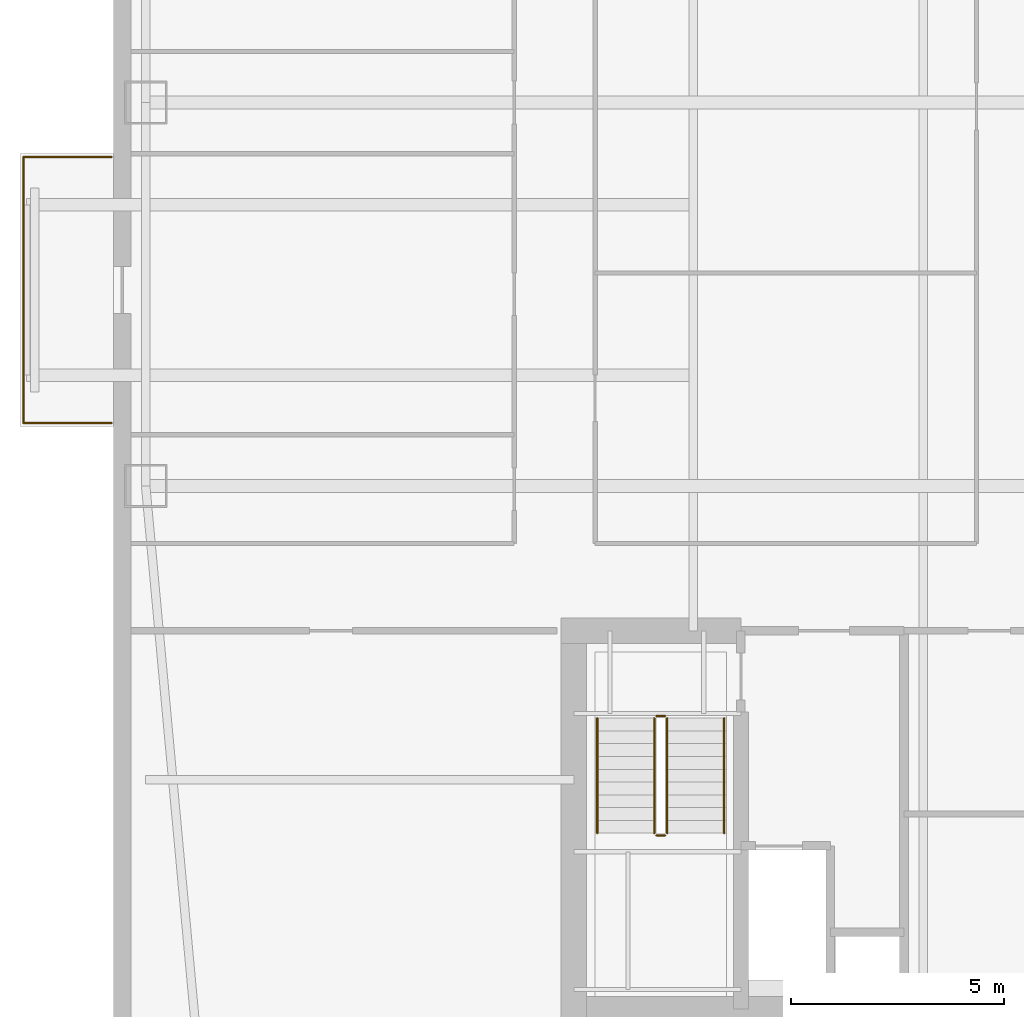
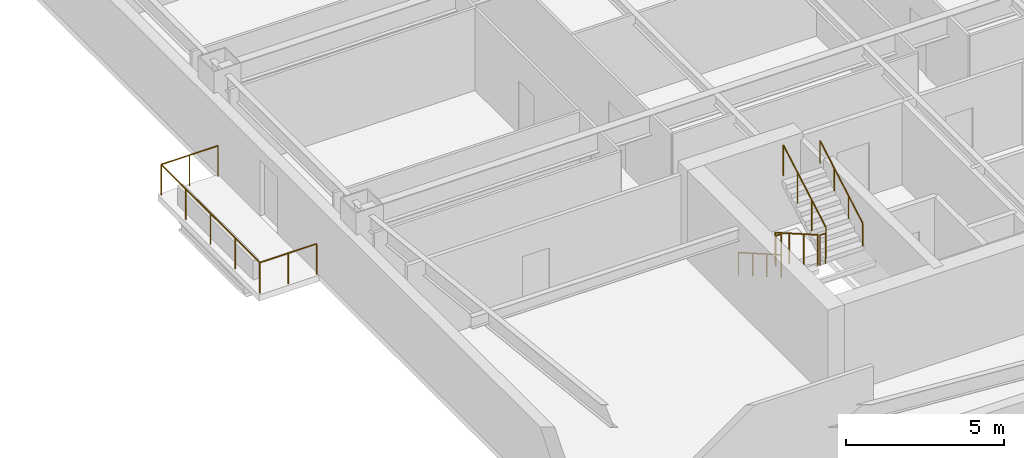
# One storey, part 19 of 22: 7 railings.
"""IFC4 building model written with IfcOpenShell, lengths in metres."""

from ifc_helpers import new_model, si_unit, direction, frame, origin, origin_2d, place, context, subcontext, project, spatial, circle, extrude, material, type_object, element, save


model = new_model("IFC4")

# Units and contexts
model_context = context("Model", 3, precision=1e-05, world=origin(), true_north=direction((0.0, 1.0)))
body_context = subcontext(model_context, "Body", "Model", "MODEL_VIEW")
ifc_project = project(units=[si_unit("LENGTHUNIT", "METRE"), si_unit("AREAUNIT", "SQUARE_METRE"), si_unit("VOLUMEUNIT", "CUBIC_METRE"), si_unit("PLANEANGLEUNIT", "RADIAN"), si_unit("MASSUNIT", "GRAM", prefix="KILO")], contexts=[model_context])

# Site, building, storey
site_placement = place(None, origin())
site = spatial("IfcSite", under=ifc_project, at=site_placement, CompositionType="ELEMENT")
building_placement = place(site_placement, origin())
building = spatial("IfcBuilding", under=site, at=building_placement, Name="Qiaolan Cultural Towers", CompositionType="ELEMENT")
storey_placement = place(building_placement, frame((0.0, 0.0, 146.050048828125)))
storey = spatial("IfcBuildingStorey", under=building, at=storey_placement, Name="L38", CompositionType="ELEMENT", Elevation=146.050048828125)

# Railings
ifc_material_1 = material(Name="Laminated SentryGlas & Stainless Steel S31608 Balustrade", Category="steel")
railing_type_1 = type_object("IfcRailingType", Name="GRD-TERR-1200", PredefinedType="BALUSTRADE", material=ifc_material_1)
railing_1_placement = place(storey_placement, frame((10.949951171875, 26.47998046875, 0.0)))
element("IfcRailing", 1, at=railing_1_placement, inside=storey, type_object=railing_type_1, Name="L38 T1 Tree Balcony Guardrail W", PredefinedType="BALUSTRADE", context=body_context, shape_type="SweptSolid", body=[
    extrude(circle(Radius=0.02392578125, at=origin_2d()), frame((0.0, 0.0, 1.17578125), z_axis=(-1.0, 0.0, 0.0), x_axis=(0.0, -1.0, 0.0)), (0.0, 0.0, 1.0), 2.070068359375),
    extrude(circle(Radius=0.02392578125, at=origin_2d()), frame((-2.070068359375, 0.0, 1.17578125), z_axis=(0.0, 1.0, 0.0), x_axis=(-1.0, 0.0, 0.0)), (0.0, 0.0, 1.0), 6.239990234375),
    extrude(circle(Radius=0.02392578125, at=origin_2d()), frame((-2.070068359375, 6.239990234375, 1.17578125), z_axis=(1.0, 0.0, 0.0), x_axis=(0.0, 1.0, 0.0)), (0.0, 0.0, 1.0), 2.070068359375),
    extrude(circle(Radius=0.02099609375, at=origin_2d()), origin(), (0.0, 0.0, 1.0), 1.15185546875),
    extrude(circle(Radius=0.02099609375, at=origin_2d()), frame((-1.03515625, 0.0, 0.0)), (0.0, 0.0, 1.0), 1.15185546875),
    extrude(circle(Radius=0.02099609375, at=origin_2d()), frame((-2.070068359375, 0.0, 0.0)), (0.0, 0.0, 1.0), 1.15185546875),
    extrude(circle(Radius=0.02099609375, at=origin_2d()), frame((-2.070068359375, 1.56005859375, 0.0)), (0.0, 0.0, 1.0), 1.15185546875),
    extrude(circle(Radius=0.02099609375, at=origin_2d()), frame((-2.070068359375, 3.1201171875, 0.0)), (0.0, 0.0, 1.0), 1.15185546875),
    extrude(circle(Radius=0.02099609375, at=origin_2d()), frame((-2.070068359375, 4.679931640625, 0.0)), (0.0, 0.0, 1.0), 1.15185546875),
    extrude(circle(Radius=0.02099609375, at=origin_2d()), frame((-2.070068359375, 6.239990234375, 0.0)), (0.0, 0.0, 1.0), 1.15185546875),
    extrude(circle(Radius=0.02099609375, at=origin_2d()), frame((-1.03515625, 6.239990234375, 0.0)), (0.0, 0.0, 1.0), 1.15185546875),
    extrude(circle(Radius=0.02099609375, at=origin_2d()), frame((0.0, 6.239990234375, 0.0)), (0.0, 0.0, 1.0), 1.15185546875),
])
ifc_material_2 = material(Name="Galvanized Painted Steel Stair Guardrail", Category="steel")
railing_type_2 = type_object("IfcRailingType", Name="RL-STAIR-GRD", PredefinedType="GUARDRAIL", material=ifc_material_2)
railing_2_placement = place(storey_placement, frame((23.68994140625, 19.550048828125, 0.17236328125)))
element("IfcRailing", 2, at=railing_2_placement, inside=storey, type_object=railing_type_2, Name="L38 ST-W1 stair guard 1", PredefinedType="GUARDRAIL", context=body_context, shape_type="SweptSolid", body=[
    extrude(circle(Radius=0.02392578125, at=origin_2d()), frame((0.0, 0.0, 1.17578125), z_axis=(0.0, -0.866903762492, 0.498475542607), x_axis=(1.0, 0.0, 0.0)), (0.0, 0.0, 1.0), 3.114501953125),
    extrude(circle(Radius=0.02099609375, at=origin_2d()), origin(), (0.0, 0.0, 1.0), 1.15185546875),
    extrude(circle(Radius=0.02099609375, at=origin_2d()), frame((0.0, -0.89990234375, 0.517578125)), (0.0, 0.0, 1.0), 1.15185546875),
    extrude(circle(Radius=0.02099609375, at=origin_2d()), frame((0.0, -1.800048828125, 1.034912109375)), (0.0, 0.0, 1.0), 1.15185546875),
    extrude(circle(Radius=0.02099609375, at=origin_2d()), frame((0.0, -2.699951171875, 1.552490234375)), (0.0, 0.0, 1.0), 1.15185546875),
])
railing_3_placement = place(storey_placement, frame((23.739990234375, 16.800048828125, 1.724853515625)))
element("IfcRailing", 3, at=railing_3_placement, inside=storey, type_object=railing_type_2, Name="L38 ST-W1 stair guard 2", PredefinedType="GUARDRAIL", context=body_context, shape_type="SweptSolid", body=[
    extrude(circle(Radius=0.02392578125, at=origin_2d()), frame((0.0, 0.0, 1.17578125), z_axis=(1.0, 0.0, 0.0), x_axis=(0.0, 1.0, 0.0)), (0.0, 0.0, 1.0), 0.199951171875),
    extrude(circle(Radius=0.02099609375, at=origin_2d()), origin(), (0.0, 0.0, 1.0), 1.15185546875),
    extrude(circle(Radius=0.02099609375, at=origin_2d()), frame((0.199951171875, 0.0, 0.0)), (0.0, 0.0, 1.0), 1.15185546875),
])
railing_4_placement = place(storey_placement, frame((23.989990234375, 16.85009765625, 1.8974609375)))
element("IfcRailing", 4, at=railing_4_placement, inside=storey, type_object=railing_type_2, Name="L38 ST-W1 stair guard 3", PredefinedType="GUARDRAIL", context=body_context, shape_type="SweptSolid", body=[
    extrude(circle(Radius=0.02392578125, at=origin_2d()), frame((0.0, 0.0, 1.17578125), z_axis=(0.0, 0.866903762492, 0.498475542607), x_axis=(-1.0, 0.0, 0.0)), (0.0, 0.0, 1.0), 3.114501953125),
    extrude(circle(Radius=0.02099609375, at=origin_2d()), origin(), (0.0, 0.0, 1.0), 1.15185546875),
    extrude(circle(Radius=0.02099609375, at=origin_2d()), frame((0.0, 0.89990234375, 0.517578125)), (0.0, 0.0, 1.0), 1.15185546875),
    extrude(circle(Radius=0.02099609375, at=origin_2d()), frame((0.0, 1.800048828125, 1.034912109375)), (0.0, 0.0, 1.0), 1.15185546875),
    extrude(circle(Radius=0.02099609375, at=origin_2d()), frame((0.0, 2.699951171875, 1.552490234375)), (0.0, 0.0, 1.0), 1.15185546875),
])
railing_5_placement = place(storey_placement, frame((23.739990234375, 19.60009765625, 0.0)))
element("IfcRailing", 5, at=railing_5_placement, inside=storey, type_object=railing_type_2, Name="L38 ST-W1 stair guard 4", PredefinedType="GUARDRAIL", context=body_context, shape_type="SweptSolid", body=[
    extrude(circle(Radius=0.02392578125, at=origin_2d()), frame((0.0, 0.0, 1.17578125), z_axis=(1.0, 0.0, 0.0), x_axis=(0.0, 1.0, 0.0)), (0.0, 0.0, 1.0), 0.199951171875),
    extrude(circle(Radius=0.02099609375, at=origin_2d()), origin(), (0.0, 0.0, 1.0), 1.15185546875),
    extrude(circle(Radius=0.02099609375, at=origin_2d()), frame((0.199951171875, 0.0, 0.0)), (0.0, 0.0, 1.0), 1.15185546875),
])
ifc_material_3 = material(Name="Stainless Steel S30408 Tubular Handrail", Category="steel")
railing_type_3 = type_object("IfcRailingType", Name="RL-STAIR-HR", PredefinedType="HANDRAIL", material=ifc_material_3)
railing_6_placement = place(storey_placement, frame((22.35009765625, 19.550048828125, 0.17236328125)))
element("IfcRailing", 6, at=railing_6_placement, inside=storey, type_object=railing_type_3, Name="L38 ST-W1 stair handrail 1", PredefinedType="HANDRAIL", context=body_context, shape_type="SweptSolid", body=[
    extrude(circle(Radius=0.02392578125, at=origin_2d()), frame((0.0, 0.0, 0.8759765625), z_axis=(0.0, -0.866903762492, 0.498475542607), x_axis=(1.0, 0.0, 0.0)), (0.0, 0.0, 1.0), 3.114501953125),
    extrude(circle(Radius=0.02099609375, at=origin_2d()), origin(), (0.0, 0.0, 1.0), 0.851806640625),
    extrude(circle(Radius=0.02099609375, at=origin_2d()), frame((0.0, -0.89990234375, 0.517578125)), (0.0, 0.0, 1.0), 0.851806640625),
    extrude(circle(Radius=0.02099609375, at=origin_2d()), frame((0.0, -1.800048828125, 1.034912109375)), (0.0, 0.0, 1.0), 0.851806640625),
    extrude(circle(Radius=0.02099609375, at=origin_2d()), frame((0.0, -2.699951171875, 1.552490234375)), (0.0, 0.0, 1.0), 0.851806640625),
])
railing_7_placement = place(storey_placement, frame((25.330078125, 16.85009765625, 1.8974609375)))
element("IfcRailing", 7, at=railing_7_placement, inside=storey, type_object=railing_type_3, Name="L38 ST-W1 stair handrail 2", PredefinedType="HANDRAIL", context=body_context, shape_type="SweptSolid", body=[
    extrude(circle(Radius=0.02392578125, at=origin_2d()), frame((0.0, 0.0, 0.8759765625), z_axis=(0.0, 0.866903762492, 0.498475542607), x_axis=(-1.0, 0.0, 0.0)), (0.0, 0.0, 1.0), 3.114501953125),
    extrude(circle(Radius=0.02099609375, at=origin_2d()), origin(), (0.0, 0.0, 1.0), 0.851806640625),
    extrude(circle(Radius=0.02099609375, at=origin_2d()), frame((0.0, 0.89990234375, 0.517578125)), (0.0, 0.0, 1.0), 0.851806640625),
    extrude(circle(Radius=0.02099609375, at=origin_2d()), frame((0.0, 1.800048828125, 1.034912109375)), (0.0, 0.0, 1.0), 0.851806640625),
    extrude(circle(Radius=0.02099609375, at=origin_2d()), frame((0.0, 2.699951171875, 1.552490234375)), (0.0, 0.0, 1.0), 0.851806640625),
])

save(model, "model.ifc")
